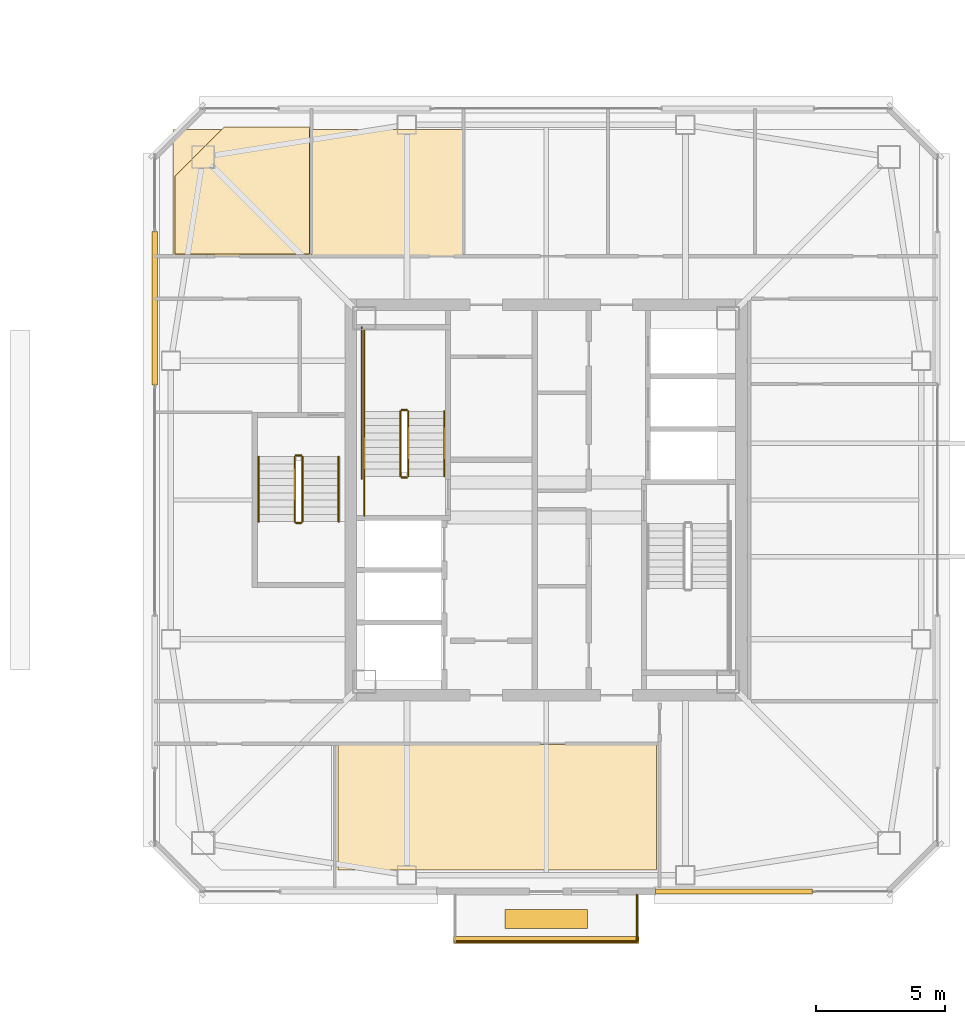
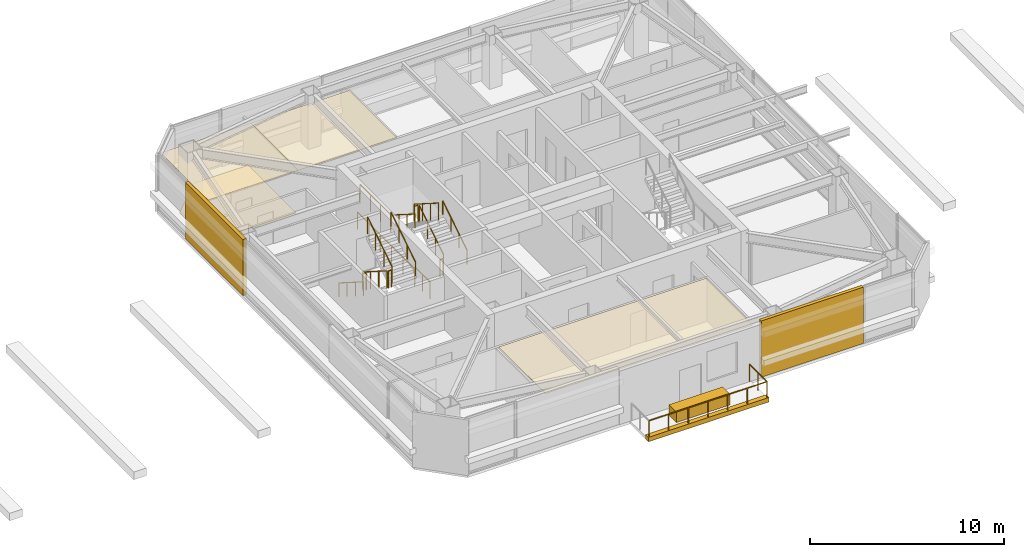
# One storey, part 29 of 31: 17 railings, 8 coverings.
"""IFC4 building model written with IfcOpenShell, lengths in metres."""

from ifc_helpers import new_model, si_unit, direction, frame, origin, origin_2d, place, context, subcontext, project, spatial, polyline, rectangle, outline, extrude, material, layer, layer_set, type_object, element, save


model = new_model("IFC4")

# Units and contexts
model_context = context("Model", 3, precision=1e-05, world=origin(), true_north=direction((0.0, 1.0)))
body_context = subcontext(model_context, "Body", "Model", "MODEL_VIEW")
ifc_project = project(units=[si_unit("LENGTHUNIT", "METRE"), si_unit("AREAUNIT", "SQUARE_METRE"), si_unit("VOLUMEUNIT", "CUBIC_METRE"), si_unit("PLANEANGLEUNIT", "RADIAN"), si_unit("MASSUNIT", "GRAM", prefix="KILO")], contexts=[model_context])

# Site, building, storey
site_placement = place(None, origin())
site = spatial("IfcSite", under=ifc_project, at=site_placement, CompositionType="ELEMENT")
building_placement = place(site_placement, origin())
building = spatial("IfcBuilding", under=site, at=building_placement, Name="Tashvorn Skyway Center", CompositionType="ELEMENT")
storey_placement = place(building_placement, frame((0.0, 0.0, 266.949951171875)))
storey = spatial("IfcBuildingStorey", under=building, at=storey_placement, Name="L72", CompositionType="ELEMENT", Elevation=266.949951171875)

# Coverings
ifc_material_1 = material(Name="Precast concrete C40/50", Category="concrete")
ifc_layer_1 = layer(ifc_material_1, 0.199951171875)
ifc_layer_set_1 = layer_set([ifc_layer_1], Name="Precast concrete C40/50")
covering_type_1 = type_object("IfcCoveringType", Name="COV-BRACE-CLAD", PredefinedType="CLADDING", material=ifc_layer_set_1)
covering_1_placement = place(storey_placement, frame((49.29345703125, 16.820068359375, 0.0), z_axis=(0.0, 0.0, 1.0), x_axis=(-1.0, 0.0, 0.0)))
element("IfcCovering", 1, at=covering_1_placement, inside=storey, type_object=covering_type_1, Name="Tower 1 L72 South Curtain Wall L Mega-Brace Cladding Band 1", PredefinedType="CLADDING", context=body_context, shape_type="SweptSolid", body=[
    extrude(rectangle(XDim=6.086669921875, YDim=0.199951171875, at=origin_2d()), origin(), (0.0, 0.0, 1.0), 3.550048828125),
])
covering_2_placement = place(storey_placement, frame((26.820068359375, 39.433349609375, 0.0), z_axis=(0.0, 0.0, 1.0), x_axis=(0.0, 1.0, 0.0)))
element("IfcCovering", 2, at=covering_2_placement, inside=storey, type_object=covering_type_1, Name="Tower 1 L72 West Unitised Curtain Wall Mega-Brace Cladding Band 2", PredefinedType="CLADDING", context=body_context, shape_type="SweptSolid", body=[
    extrude(rectangle(XDim=5.94677734375, YDim=0.199951171875, at=origin_2d()), origin(), (0.0, 0.0, 1.0), 3.550048828125),
])
ifc_material_2 = material(Name="Mineral-fibre acoustic ceiling tile on suspended grid")
ifc_layer_2 = layer(ifc_material_2, 0.02001953125)
ifc_layer_set_2 = layer_set([ifc_layer_2], Name="Mineral-fibre acoustic ceiling tile on suspended grid")
covering_type_2 = type_object("IfcCoveringType", Name="COV-CEIL-20", PredefinedType="CEILING", material=ifc_layer_set_2)
covering_3_placement = place(storey_placement, frame((0.0, 0.0, 2.703125)))
element("IfcCovering", 3, at=covering_3_placement, inside=storey, type_object=covering_type_2, Name="Tower 1 L72 Research Library Acoustic Ceiling", PredefinedType="CEILING", context=body_context, shape_type="SweptSolid", body=[
    extrude(outline(polyline([(27.530029296875, 41.449951171875), (32.89990234375, 41.449951171875), (32.89990234375, 46.3701171875), (27.530029296875, 46.3701171875), (27.530029296875, 41.449951171875)])), origin(), (0.0, 0.0, 1.0), 0.02001953125),
])
covering_4_placement = place(storey_placement, frame((0.0, 0.0, 2.703125)))
element("IfcCovering", 4, at=covering_4_placement, inside=storey, type_object=covering_type_2, Name="Tower 1 L72 Research Library Acoustic Ceiling", PredefinedType="CEILING", context=body_context, shape_type="SweptSolid", body=[
    extrude(outline(polyline([(32.89990234375, 41.449951171875), (38.800048828125, 41.449951171875), (38.800048828125, 46.3701171875), (32.89990234375, 46.3701171875), (32.89990234375, 41.449951171875)])), origin(), (0.0, 0.0, 1.0), 0.02001953125),
])
covering_5_placement = place(storey_placement, frame((0.0, 0.0, 2.703125)))
element("IfcCovering", 5, at=covering_5_placement, inside=storey, type_object=covering_type_2, Name="Tower 1 L72 Security Control Room Acoustic Ceiling", PredefinedType="CEILING", context=body_context, shape_type="SweptSolid", body=[
    extrude(outline(polyline([(33.919921875, 22.510009765625), (46.280029296875, 22.510009765625), (46.280029296875, 17.64990234375), (33.919921875, 17.64990234375), (33.919921875, 22.510009765625)])), origin(), (0.0, 0.0, 1.0), 0.02001953125),
])
ifc_material_3 = material(Name="Polished Mojave desert-aggregate terrazzo and cover plate")
ifc_layer_3 = layer(ifc_material_3, 0.0400390625)
ifc_layer_set_3 = layer_set([ifc_layer_3], Name="Polished Mojave desert-aggregate terrazzo and cover plate")
covering_type_3 = type_object("IfcCoveringType", Name="COV-FLR-40", PredefinedType="FLOORING", material=ifc_layer_set_3)
covering_6_placement = place(storey_placement, origin())
element("IfcCovering", 6, at=covering_6_placement, inside=storey, type_object=covering_type_3, Name="Tower 1 L72 Research Library Finish Flooring", PredefinedType="FLOORING", context=body_context, shape_type="SweptSolid", body=[
    extrude(outline(polyline([(32.820068359375, 41.530029296875), (27.610107421875, 41.530029296875), (27.610107421875, 44.550048828125), (29.530029296875, 46.469970703125), (32.820068359375, 46.469970703125), (32.820068359375, 41.530029296875)])), origin(), (0.0, 0.0, 1.0), 0.0400390625),
])
ifc_layer_4 = layer(ifc_material_1, 0.35009765625)
ifc_layer_set_4 = layer_set([ifc_layer_4], Name="Precast concrete C40/50")
covering_type_4 = type_object("IfcCoveringType", Name="COV-STONE-TRIM", PredefinedType="CLADDING", material=ifc_layer_set_4)
covering_7_placement = place(storey_placement, frame((42.0, 14.93994140625, -0.16015625), z_axis=(0.0, 0.0, 1.0), x_axis=(-1.0, 0.0, 0.0)))
element("IfcCovering", 7, at=covering_7_placement, inside=storey, type_object=covering_type_4, Name="Tower 1 L72 Spiral Terrace Terracotta Fascia", PredefinedType="CLADDING", context=body_context, shape_type="SweptSolid", body=[
    extrude(rectangle(XDim=7.199951171875, YDim=0.280029296875, at=origin_2d()), origin(), (0.0, 0.0, 1.0), 0.280029296875),
])
covering_8_placement = place(storey_placement, frame((42.0, 15.75, 0.0), z_axis=(0.0, 0.0, 1.0), x_axis=(-1.0, 0.0, 0.0)))
element("IfcCovering", 8, at=covering_8_placement, inside=storey, type_object=covering_type_4, Name="Tower 1 L72 Spiral Terrace Planter", PredefinedType="CLADDING", context=body_context, shape_type="SweptSolid", body=[
    extrude(rectangle(XDim=3.199951171875, YDim=0.75, at=origin_2d()), origin(), (0.0, 0.0, 1.0), 0.679931640625),
])

# Railings
ifc_material_4 = material(Name="Galvanized steel S355", Category="steel")
railing_type_1 = type_object("IfcRailingType", Name="RAIL-GUARD-1120", PredefinedType="GUARDRAIL", material=ifc_material_4)
railing_1_placement = place(storey_placement, frame((38.47998046875, 14.8798828125, 0.0)))
element("IfcRailing", 9, at=railing_1_placement, inside=storey, type_object=railing_type_1, Name="L72 Tower 1 Terrace Guardrail 02", PredefinedType="GUARDRAIL", context=body_context, shape_type="SweptSolid", body=[
    extrude(rectangle(XDim=0.048095703125, YDim=0.048095703125, at=origin_2d()), frame((0.0, 0.0, 1.09619140625), z_axis=(1.0, 0.0, 0.0), x_axis=(0.0, 1.0, 0.0)), (0.0, 0.0, 1.0), 7.0400390625),
    extrude(rectangle(XDim=0.0419921875, YDim=0.0419921875, at=origin_2d()), origin(), (0.0, 0.0, 1.0), 1.072021484375),
    extrude(rectangle(XDim=0.0419921875, YDim=0.0419921875, at=origin_2d()), frame((1.17333984375, 0.0, 0.0)), (0.0, 0.0, 1.0), 1.072021484375),
    extrude(rectangle(XDim=0.0419921875, YDim=0.0419921875, at=origin_2d()), frame((2.3466796875, 0.0, 0.0)), (0.0, 0.0, 1.0), 1.072021484375),
    extrude(rectangle(XDim=0.0419921875, YDim=0.0419921875, at=origin_2d()), frame((3.52001953125, 0.0, 0.0)), (0.0, 0.0, 1.0), 1.072021484375),
    extrude(rectangle(XDim=0.0419921875, YDim=0.0419921875, at=origin_2d()), frame((4.693359375, 0.0, 0.0)), (0.0, 0.0, 1.0), 1.072021484375),
    extrude(rectangle(XDim=0.0419921875, YDim=0.0419921875, at=origin_2d()), frame((5.86669921875, 0.0, 0.0)), (0.0, 0.0, 1.0), 1.072021484375),
    extrude(rectangle(XDim=0.0419921875, YDim=0.0419921875, at=origin_2d()), frame((7.0400390625, 0.0, 0.0)), (0.0, 0.0, 1.0), 1.072021484375),
])
railing_2_placement = place(storey_placement, frame((45.52001953125, 14.8798828125, 0.0)))
element("IfcRailing", 10, at=railing_2_placement, inside=storey, type_object=railing_type_1, Name="L72 Tower 1 Terrace Guardrail 03", PredefinedType="GUARDRAIL", context=body_context, shape_type="SweptSolid", body=[
    extrude(rectangle(XDim=0.048095703125, YDim=0.048095703125, at=origin_2d()), frame((0.0, 0.0, 1.09619140625), z_axis=(0.0, 1.0, 0.0), x_axis=(-1.0, 0.0, 0.0)), (0.0, 0.0, 1.0), 1.820068359375),
    extrude(rectangle(XDim=0.0419921875, YDim=0.0419921875, at=origin_2d()), origin(), (0.0, 0.0, 1.0), 1.072021484375),
    extrude(rectangle(XDim=0.0419921875, YDim=0.0419921875, at=origin_2d()), frame((0.0, 0.91015625, 0.0)), (0.0, 0.0, 1.0), 1.072021484375),
    extrude(rectangle(XDim=0.0419921875, YDim=0.0419921875, at=origin_2d()), frame((0.0, 1.820068359375, 0.0)), (0.0, 0.0, 1.0), 1.072021484375),
])
ifc_material_5 = material(Name="Brushed stainless steel 316", Category="steel")
railing_type_2 = type_object("IfcRailingType", Name="RAIL-HAND-920", PredefinedType="HANDRAIL", material=ifc_material_5)
railing_3_placement = place(storey_placement, frame((38.050048828125, 32.919921875, 0.177490234375)))
element("IfcRailing", 11, at=railing_3_placement, inside=storey, type_object=railing_type_2, Name="L72 ST-T1-1 stair handrail 1", PredefinedType="HANDRAIL", context=body_context, shape_type="SweptSolid", body=[
    extrude(rectangle(XDim=0.048095703125, YDim=0.048095703125, at=origin_2d()), frame((0.0, 0.0, 0.8759765625), z_axis=(0.0, 0.84456994832, 0.535445237532), x_axis=(-1.0, 0.0, 0.0)), (0.0, 0.0, 1.0), 2.98388671875),
    extrude(rectangle(XDim=0.0419921875, YDim=0.0419921875, at=origin_2d()), origin(), (0.0, 0.0, 1.0), 0.851806640625),
    extrude(rectangle(XDim=0.0419921875, YDim=0.0419921875, at=origin_2d()), frame((0.0, 0.840087890625, 0.532470703125)), (0.0, 0.0, 1.0), 0.851806640625),
    extrude(rectangle(XDim=0.0419921875, YDim=0.0419921875, at=origin_2d()), frame((0.0, 1.679931640625, 1.065185546875)), (0.0, 0.0, 1.0), 0.851806640625),
    extrude(rectangle(XDim=0.0419921875, YDim=0.0419921875, at=origin_2d()), frame((0.0, 2.52001953125, 1.59765625)), (0.0, 0.0, 1.0), 0.851806640625),
])
railing_4_placement = place(storey_placement, frame((34.949951171875, 35.43994140625, 1.95263671875)))
element("IfcRailing", 12, at=railing_4_placement, inside=storey, type_object=railing_type_2, Name="L72 ST-T1-1 stair handrail 2", PredefinedType="HANDRAIL", context=body_context, shape_type="SweptSolid", body=[
    extrude(rectangle(XDim=0.048095703125, YDim=0.048095703125, at=origin_2d()), frame((0.0, 0.0, 0.8759765625), z_axis=(0.0, -0.84460694969, 0.535386869969), x_axis=(1.0, 0.0, 0.0)), (0.0, 0.0, 1.0), 2.983642578125),
    extrude(rectangle(XDim=0.0419921875, YDim=0.0419921875, at=origin_2d()), origin(), (0.0, 0.0, 1.0), 0.851806640625),
    extrude(rectangle(XDim=0.0419921875, YDim=0.0419921875, at=origin_2d()), frame((0.0, -0.840087890625, 0.532470703125)), (0.0, 0.0, 1.0), 0.851806640625),
    extrude(rectangle(XDim=0.0419921875, YDim=0.0419921875, at=origin_2d()), frame((0.0, -1.679931640625, 1.06494140625)), (0.0, 0.0, 1.0), 0.851806640625),
    extrude(rectangle(XDim=0.0419921875, YDim=0.0419921875, at=origin_2d()), frame((0.0, -2.52001953125, 1.597412109375)), (0.0, 0.0, 1.0), 0.851806640625),
])
railing_5_placement = place(storey_placement, frame((30.85009765625, 33.679931640625, 0.177490234375)))
element("IfcRailing", 13, at=railing_5_placement, inside=storey, type_object=railing_type_2, Name="L72 ST-T1-3 stair handrail 1", PredefinedType="HANDRAIL", context=body_context, shape_type="SweptSolid", body=[
    extrude(rectangle(XDim=0.048095703125, YDim=0.048095703125, at=origin_2d()), frame((0.0, 0.0, 0.8759765625), z_axis=(0.0, -0.84456994832, 0.535445237532), x_axis=(1.0, 0.0, 0.0)), (0.0, 0.0, 1.0), 2.98388671875),
    extrude(rectangle(XDim=0.0419921875, YDim=0.0419921875, at=origin_2d()), origin(), (0.0, 0.0, 1.0), 0.851806640625),
    extrude(rectangle(XDim=0.0419921875, YDim=0.0419921875, at=origin_2d()), frame((0.0, -0.840087890625, 0.532470703125)), (0.0, 0.0, 1.0), 0.851806640625),
    extrude(rectangle(XDim=0.0419921875, YDim=0.0419921875, at=origin_2d()), frame((0.0, -1.679931640625, 1.065185546875)), (0.0, 0.0, 1.0), 0.851806640625),
    extrude(rectangle(XDim=0.0419921875, YDim=0.0419921875, at=origin_2d()), frame((0.0, -2.52001953125, 1.59765625)), (0.0, 0.0, 1.0), 0.851806640625),
])
railing_6_placement = place(storey_placement, frame((33.949951171875, 31.159912109375, 1.95263671875)))
element("IfcRailing", 14, at=railing_6_placement, inside=storey, type_object=railing_type_2, Name="L72 ST-T1-3 stair handrail 2", PredefinedType="HANDRAIL", context=body_context, shape_type="SweptSolid", body=[
    extrude(rectangle(XDim=0.048095703125, YDim=0.048095703125, at=origin_2d()), frame((0.0, 0.0, 0.8759765625), z_axis=(0.0, 0.84460694969, 0.535386869969), x_axis=(-1.0, 0.0, 0.0)), (0.0, 0.0, 1.0), 2.983642578125),
    extrude(rectangle(XDim=0.0419921875, YDim=0.0419921875, at=origin_2d()), origin(), (0.0, 0.0, 1.0), 0.851806640625),
    extrude(rectangle(XDim=0.0419921875, YDim=0.0419921875, at=origin_2d()), frame((0.0, 0.840087890625, 0.532470703125)), (0.0, 0.0, 1.0), 0.851806640625),
    extrude(rectangle(XDim=0.0419921875, YDim=0.0419921875, at=origin_2d()), frame((0.0, 1.679931640625, 1.06494140625)), (0.0, 0.0, 1.0), 0.851806640625),
    extrude(rectangle(XDim=0.0419921875, YDim=0.0419921875, at=origin_2d()), frame((0.0, 2.52001953125, 1.597412109375)), (0.0, 0.0, 1.0), 0.851806640625),
])
ifc_material_6 = material(Name="Painted galvanized steel S355", Category="steel")
railing_type_3 = type_object("IfcRailingType", Name="RAIL-STGUARD-1100", PredefinedType="GUARDRAIL", material=ifc_material_6)
railing_7_placement = place(storey_placement, frame((36.64990234375, 32.919921875, 0.177490234375)))
element("IfcRailing", 15, at=railing_7_placement, inside=storey, type_object=railing_type_3, Name="L72 ST-T1-1 stair guard 1", PredefinedType="GUARDRAIL", context=body_context, shape_type="SweptSolid", body=[
    extrude(rectangle(XDim=0.048095703125, YDim=0.048095703125, at=origin_2d()), frame((0.0, 0.0, 1.076171875), z_axis=(0.0, 0.84456994832, 0.535445237532), x_axis=(-1.0, 0.0, 0.0)), (0.0, 0.0, 1.0), 2.98388671875),
    extrude(rectangle(XDim=0.0419921875, YDim=0.0419921875, at=origin_2d()), origin(), (0.0, 0.0, 1.0), 1.052001953125),
    extrude(rectangle(XDim=0.0419921875, YDim=0.0419921875, at=origin_2d()), frame((0.0, 0.840087890625, 0.532470703125)), (0.0, 0.0, 1.0), 1.052001953125),
    extrude(rectangle(XDim=0.0419921875, YDim=0.0419921875, at=origin_2d()), frame((0.0, 1.679931640625, 1.065185546875)), (0.0, 0.0, 1.0), 1.052001953125),
    extrude(rectangle(XDim=0.0419921875, YDim=0.0419921875, at=origin_2d()), frame((0.0, 2.52001953125, 1.59765625)), (0.0, 0.0, 1.0), 1.052001953125),
])
railing_8_placement = place(storey_placement, frame((36.60009765625, 35.489990234375, 1.775146484375)))
element("IfcRailing", 16, at=railing_8_placement, inside=storey, type_object=railing_type_3, Name="L72 ST-T1-1 stair guard 2", PredefinedType="GUARDRAIL", context=body_context, shape_type="SweptSolid", body=[
    extrude(rectangle(XDim=0.048095703125, YDim=0.048095703125, at=origin_2d()), frame((0.0, 0.0, 1.076171875), z_axis=(-1.0, 0.0, 0.0), x_axis=(0.0, -1.0, 0.0)), (0.0, 0.0, 1.0), 0.2001953125),
    extrude(rectangle(XDim=0.0419921875, YDim=0.0419921875, at=origin_2d()), origin(), (0.0, 0.0, 1.0), 1.052001953125),
    extrude(rectangle(XDim=0.0419921875, YDim=0.0419921875, at=origin_2d()), frame((-0.2001953125, 0.0, 0.0)), (0.0, 0.0, 1.0), 1.052001953125),
])
railing_9_placement = place(storey_placement, frame((34.949951171875, 35.43994140625, 1.775146484375)))
element("IfcRailing", 17, at=railing_9_placement, inside=storey, type_object=railing_type_3, Name="L72 ST-T1-1 stair guard 3", PredefinedType="GUARDRAIL", context=body_context, shape_type="SweptSolid", body=[
    extrude(rectangle(XDim=0.048095703125, YDim=0.048095703125, at=origin_2d()), frame((0.0, 0.0, 1.076171875), z_axis=(0.0, 1.0, 0.0), x_axis=(-1.0, 0.0, 0.0)), (0.0, 0.0, 1.0), 3.16015625),
    extrude(rectangle(XDim=0.0419921875, YDim=0.0419921875, at=origin_2d()), origin(), (0.0, 0.0, 1.0), 1.052001953125),
    extrude(rectangle(XDim=0.0419921875, YDim=0.0419921875, at=origin_2d()), frame((0.0, 1.053466796875, 0.0)), (0.0, 0.0, 1.0), 1.052001953125),
    extrude(rectangle(XDim=0.0419921875, YDim=0.0419921875, at=origin_2d()), frame((0.0, 2.106689453125, 0.0)), (0.0, 0.0, 1.0), 1.052001953125),
    extrude(rectangle(XDim=0.0419921875, YDim=0.0419921875, at=origin_2d()), frame((0.0, 3.16015625, 0.0)), (0.0, 0.0, 1.0), 1.052001953125),
])
railing_10_placement = place(storey_placement, frame((36.35009765625, 35.43994140625, 1.95263671875)))
element("IfcRailing", 18, at=railing_10_placement, inside=storey, type_object=railing_type_3, Name="L72 ST-T1-1 stair guard 4", PredefinedType="GUARDRAIL", context=body_context, shape_type="SweptSolid", body=[
    extrude(rectangle(XDim=0.048095703125, YDim=0.048095703125, at=origin_2d()), frame((0.0, 0.0, 1.076171875), z_axis=(0.0, -0.84460694969, 0.535386869969), x_axis=(1.0, 0.0, 0.0)), (0.0, 0.0, 1.0), 2.983642578125),
    extrude(rectangle(XDim=0.0419921875, YDim=0.0419921875, at=origin_2d()), origin(), (0.0, 0.0, 1.0), 1.052001953125),
    extrude(rectangle(XDim=0.0419921875, YDim=0.0419921875, at=origin_2d()), frame((0.0, -0.840087890625, 0.532470703125)), (0.0, 0.0, 1.0), 1.052001953125),
    extrude(rectangle(XDim=0.0419921875, YDim=0.0419921875, at=origin_2d()), frame((0.0, -1.679931640625, 1.06494140625)), (0.0, 0.0, 1.0), 1.052001953125),
    extrude(rectangle(XDim=0.0419921875, YDim=0.0419921875, at=origin_2d()), frame((0.0, -2.52001953125, 1.597412109375)), (0.0, 0.0, 1.0), 1.052001953125),
])
railing_11_placement = place(storey_placement, frame((36.60009765625, 32.8701171875, 0.0)))
element("IfcRailing", 19, at=railing_11_placement, inside=storey, type_object=railing_type_3, Name="L72 ST-T1-1 stair guard 5", PredefinedType="GUARDRAIL", context=body_context, shape_type="SweptSolid", body=[
    extrude(rectangle(XDim=0.048095703125, YDim=0.048095703125, at=origin_2d()), frame((0.0, 0.0, 1.076171875), z_axis=(-1.0, 0.0, 0.0), x_axis=(0.0, -1.0, 0.0)), (0.0, 0.0, 1.0), 0.2001953125),
    extrude(rectangle(XDim=0.0419921875, YDim=0.0419921875, at=origin_2d()), origin(), (0.0, 0.0, 1.0), 1.052001953125),
    extrude(rectangle(XDim=0.0419921875, YDim=0.0419921875, at=origin_2d()), frame((-0.2001953125, 0.0, 0.0)), (0.0, 0.0, 1.0), 1.052001953125),
])
railing_12_placement = place(storey_placement, frame((34.949951171875, 31.39990234375, 0.0)))
element("IfcRailing", 20, at=railing_12_placement, inside=storey, type_object=railing_type_3, Name="L72 ST-T1-1 stair guard 6", PredefinedType="GUARDRAIL", context=body_context, shape_type="SweptSolid", body=[
    extrude(rectangle(XDim=0.048095703125, YDim=0.048095703125, at=origin_2d()), frame((0.0, 0.0, 1.076171875), z_axis=(0.0, 1.0, 0.0), x_axis=(-1.0, 0.0, 0.0)), (0.0, 0.0, 1.0), 1.52001953125),
    extrude(rectangle(XDim=0.0419921875, YDim=0.0419921875, at=origin_2d()), origin(), (0.0, 0.0, 1.0), 1.052001953125),
    extrude(rectangle(XDim=0.0419921875, YDim=0.0419921875, at=origin_2d()), frame((0.0, 0.760009765625, 0.0)), (0.0, 0.0, 1.0), 1.052001953125),
    extrude(rectangle(XDim=0.0419921875, YDim=0.0419921875, at=origin_2d()), frame((0.0, 1.52001953125, 0.0)), (0.0, 0.0, 1.0), 1.052001953125),
])
railing_13_placement = place(storey_placement, frame((34.85009765625, 32.820068359375, 0.0)))
element("IfcRailing", 21, at=railing_13_placement, inside=storey, type_object=railing_type_3, Name="L72 ST-T1-1 stair guard 7", PredefinedType="GUARDRAIL", context=body_context, shape_type="SweptSolid", body=[
    extrude(rectangle(XDim=0.048095703125, YDim=0.048095703125, at=origin_2d()), frame((0.0, 0.0, 1.076171875), z_axis=(0.0, 1.0, 0.0), x_axis=(-1.0, 0.0, 0.0)), (0.0, 0.0, 1.0), 5.8798828125),
    extrude(rectangle(XDim=0.0419921875, YDim=0.0419921875, at=origin_2d()), origin(), (0.0, 0.0, 1.0), 1.052001953125),
    extrude(rectangle(XDim=0.0419921875, YDim=0.0419921875, at=origin_2d()), frame((0.0, 1.176025390625, 0.0)), (0.0, 0.0, 1.0), 1.052001953125),
    extrude(rectangle(XDim=0.0419921875, YDim=0.0419921875, at=origin_2d()), frame((0.0, 2.35205078125, 0.0)), (0.0, 0.0, 1.0), 1.052001953125),
    extrude(rectangle(XDim=0.0419921875, YDim=0.0419921875, at=origin_2d()), frame((0.0, 3.52783203125, 0.0)), (0.0, 0.0, 1.0), 1.052001953125),
    extrude(rectangle(XDim=0.0419921875, YDim=0.0419921875, at=origin_2d()), frame((0.0, 4.703857421875, 0.0)), (0.0, 0.0, 1.0), 1.052001953125),
    extrude(rectangle(XDim=0.0419921875, YDim=0.0419921875, at=origin_2d()), frame((0.0, 5.8798828125, 0.0)), (0.0, 0.0, 1.0), 1.052001953125),
])
railing_14_placement = place(storey_placement, frame((32.25, 33.679931640625, 0.177490234375)))
element("IfcRailing", 22, at=railing_14_placement, inside=storey, type_object=railing_type_3, Name="L72 ST-T1-3 stair guard 1", PredefinedType="GUARDRAIL", context=body_context, shape_type="SweptSolid", body=[
    extrude(rectangle(XDim=0.048095703125, YDim=0.048095703125, at=origin_2d()), frame((0.0, 0.0, 1.076171875), z_axis=(0.0, -0.84456994832, 0.535445237532), x_axis=(1.0, 0.0, 0.0)), (0.0, 0.0, 1.0), 2.98388671875),
    extrude(rectangle(XDim=0.0419921875, YDim=0.0419921875, at=origin_2d()), origin(), (0.0, 0.0, 1.0), 1.052001953125),
    extrude(rectangle(XDim=0.0419921875, YDim=0.0419921875, at=origin_2d()), frame((0.0, -0.840087890625, 0.532470703125)), (0.0, 0.0, 1.0), 1.052001953125),
    extrude(rectangle(XDim=0.0419921875, YDim=0.0419921875, at=origin_2d()), frame((0.0, -1.679931640625, 1.065185546875)), (0.0, 0.0, 1.0), 1.052001953125),
    extrude(rectangle(XDim=0.0419921875, YDim=0.0419921875, at=origin_2d()), frame((0.0, -2.52001953125, 1.59765625)), (0.0, 0.0, 1.0), 1.052001953125),
])
railing_15_placement = place(storey_placement, frame((32.300048828125, 31.110107421875, 1.775146484375)))
element("IfcRailing", 23, at=railing_15_placement, inside=storey, type_object=railing_type_3, Name="L72 ST-T1-3 stair guard 2", PredefinedType="GUARDRAIL", context=body_context, shape_type="SweptSolid", body=[
    extrude(rectangle(XDim=0.048095703125, YDim=0.048095703125, at=origin_2d()), frame((0.0, 0.0, 1.076171875), z_axis=(1.0, 0.0, 0.0), x_axis=(0.0, 1.0, 0.0)), (0.0, 0.0, 1.0), 0.199951171875),
    extrude(rectangle(XDim=0.0419921875, YDim=0.0419921875, at=origin_2d()), origin(), (0.0, 0.0, 1.0), 1.052001953125),
    extrude(rectangle(XDim=0.0419921875, YDim=0.0419921875, at=origin_2d()), frame((0.199951171875, 0.0, 0.0)), (0.0, 0.0, 1.0), 1.052001953125),
])
railing_16_placement = place(storey_placement, frame((32.550048828125, 31.159912109375, 1.95263671875)))
element("IfcRailing", 24, at=railing_16_placement, inside=storey, type_object=railing_type_3, Name="L72 ST-T1-3 stair guard 3", PredefinedType="GUARDRAIL", context=body_context, shape_type="SweptSolid", body=[
    extrude(rectangle(XDim=0.048095703125, YDim=0.048095703125, at=origin_2d()), frame((0.0, 0.0, 1.076171875), z_axis=(0.0, 0.84460694969, 0.535386869969), x_axis=(-1.0, 0.0, 0.0)), (0.0, 0.0, 1.0), 2.983642578125),
    extrude(rectangle(XDim=0.0419921875, YDim=0.0419921875, at=origin_2d()), origin(), (0.0, 0.0, 1.0), 1.052001953125),
    extrude(rectangle(XDim=0.0419921875, YDim=0.0419921875, at=origin_2d()), frame((0.0, 0.840087890625, 0.532470703125)), (0.0, 0.0, 1.0), 1.052001953125),
    extrude(rectangle(XDim=0.0419921875, YDim=0.0419921875, at=origin_2d()), frame((0.0, 1.679931640625, 1.06494140625)), (0.0, 0.0, 1.0), 1.052001953125),
    extrude(rectangle(XDim=0.0419921875, YDim=0.0419921875, at=origin_2d()), frame((0.0, 2.52001953125, 1.597412109375)), (0.0, 0.0, 1.0), 1.052001953125),
])
railing_17_placement = place(storey_placement, frame((32.300048828125, 33.72998046875, 0.0)))
element("IfcRailing", 25, at=railing_17_placement, inside=storey, type_object=railing_type_3, Name="L72 ST-T1-3 stair guard 4", PredefinedType="GUARDRAIL", context=body_context, shape_type="SweptSolid", body=[
    extrude(rectangle(XDim=0.048095703125, YDim=0.048095703125, at=origin_2d()), frame((0.0, 0.0, 1.076171875), z_axis=(1.0, 0.0, 0.0), x_axis=(0.0, 1.0, 0.0)), (0.0, 0.0, 1.0), 0.199951171875),
    extrude(rectangle(XDim=0.0419921875, YDim=0.0419921875, at=origin_2d()), origin(), (0.0, 0.0, 1.0), 1.052001953125),
    extrude(rectangle(XDim=0.0419921875, YDim=0.0419921875, at=origin_2d()), frame((0.199951171875, 0.0, 0.0)), (0.0, 0.0, 1.0), 1.052001953125),
])

save(model, "model.ifc")
